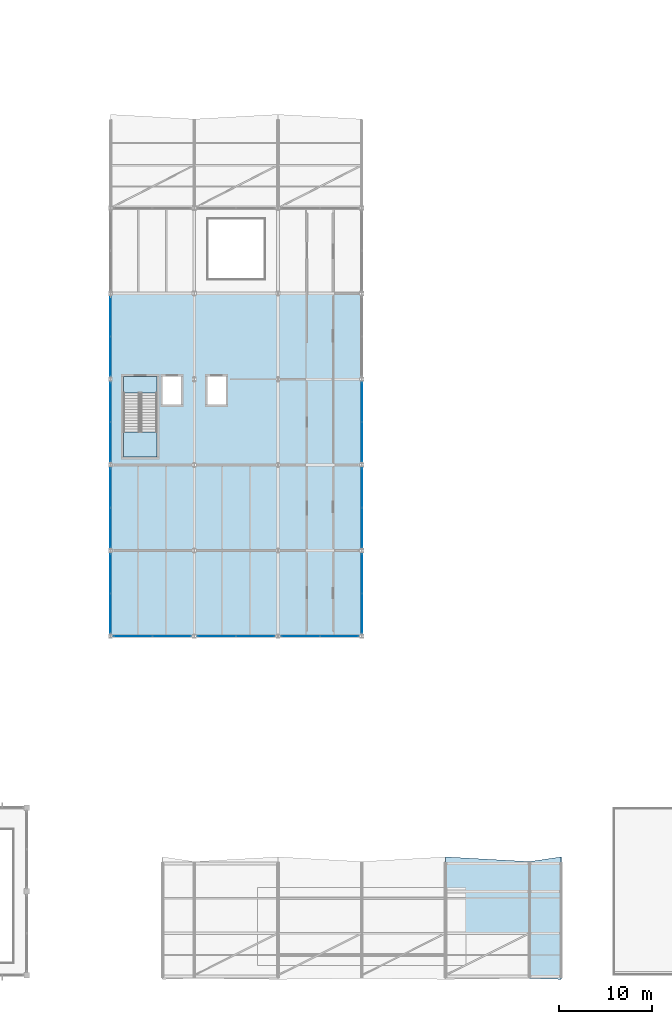
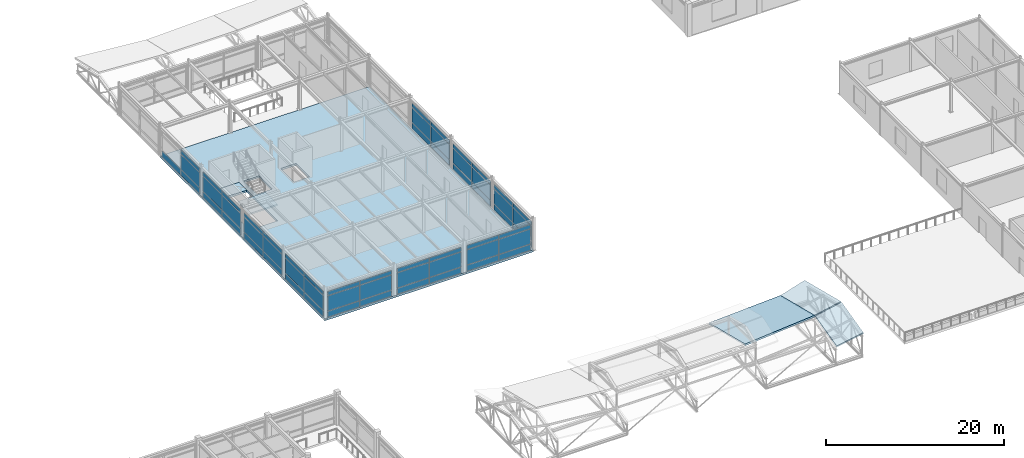
# One storey, part 32 of 55: 58 plates, 6 slabs, 11 elements without a shape of their own.
"""IFC4 building model written with IfcOpenShell, lengths in metres."""

from ifc_helpers import new_model, si_unit, direction, frame, origin, origin_2d, place, context, subcontext, project, spatial, polyline, rectangle, outline, extrude, material, layer, layer_set, type_object, element, aggregate, save


model = new_model("IFC4")

# Units and contexts
model_context = context("Model", 3, precision=1e-05, world=origin(), true_north=direction((0.0, 1.0)))
body_context = subcontext(model_context, "Body", "Model", "MODEL_VIEW")
ifc_project = project(units=[si_unit("LENGTHUNIT", "METRE"), si_unit("AREAUNIT", "SQUARE_METRE"), si_unit("VOLUMEUNIT", "CUBIC_METRE"), si_unit("PLANEANGLEUNIT", "RADIAN"), si_unit("MASSUNIT", "GRAM", prefix="KILO")], contexts=[model_context])

# Site, building, storey
site_placement = place(None, origin())
site = spatial("IfcSite", under=ifc_project, at=site_placement, CompositionType="ELEMENT")
building_placement = place(site_placement, origin())
building = spatial("IfcBuilding", under=site, at=building_placement, Name="Bozkorgan Art Gallery", CompositionType="ELEMENT")
storey_placement = place(building_placement, frame((0.0, 0.0, 15.0)))
storey = spatial("IfcBuildingStorey", under=building, at=storey_placement, Name="L03", CompositionType="ELEMENT", Elevation=15.0)

# Curtain wall, plates
ifc_material_1 = material(Name="Anodised Bronze Aluminium", Category="aluminium")
curtain_wall_type_1 = type_object("IfcCurtainWallType", Name="CW-CW-32", PredefinedType="NOTDEFINED", material=ifc_material_1)
curtain_wall_1_placement = place(storey_placement, origin())
curtain_wall_1 = element("IfcCurtainWall", 1, at=curtain_wall_1_placement, inside=storey, type_object=curtain_wall_type_1, Name="L03 unitised curtain wall CW-V4-L03-1S-01", PredefinedType="NOTDEFINED")
ifc_material_2 = material(Name="Triple Low-E Laminated Glass", Category="glass")
ifc_layer_1 = layer(ifc_material_2, 0.0439453125, Name="Triple Low-E Laminated Glass")
ifc_layer_set_1 = layer_set([ifc_layer_1], Name="Triple Low-E Laminated Glass")
plate_type = type_object("IfcPlateType", Name="CWP-GLZ", PredefinedType="CURTAIN_PANEL", material=ifc_layer_set_1)
plate_1_placement = place(storey_placement, frame((76.423828125, 38.39990234375, 0.10009765625), z_axis=(0.0, 0.0, 1.0), x_axis=(1.0, 0.0, 0.0)))
plate_1 = element("IfcPlate", 2, at=plate_1_placement, type_object=plate_type, Name="CW-32 panel 1.1", PredefinedType="CURTAIN_PANEL", context=body_context, shape_type="SweptSolid", body=[
    extrude(rectangle(XDim=4.08740234375, YDim=0.0439453125, at=origin_2d()), origin(), (0.0, 0.0, 1.0), 0.780029296875),
])
plate_2_placement = place(storey_placement, frame((76.423828125, 38.39990234375, 0.9599609375), z_axis=(0.0, 0.0, 1.0), x_axis=(1.0, 0.0, 0.0)))
plate_2 = element("IfcPlate", 3, at=plate_2_placement, type_object=plate_type, Name="CW-32 panel 1.2", PredefinedType="CURTAIN_PANEL", context=body_context, shape_type="SweptSolid", body=[
    extrude(rectangle(XDim=4.08740234375, YDim=0.0439453125, at=origin_2d()), origin(), (0.0, 0.0, 1.0), 2.02490234375),
])
plate_3_placement = place(storey_placement, frame((76.423828125, 38.39990234375, 3.06494140625), z_axis=(0.0, 0.0, 1.0), x_axis=(1.0, 0.0, 0.0)))
plate_3 = element("IfcPlate", 4, at=plate_3_placement, type_object=plate_type, Name="CW-32 panel 1.3", PredefinedType="CURTAIN_PANEL", context=body_context, shape_type="SweptSolid", body=[
    extrude(rectangle(XDim=4.08740234375, YDim=0.0439453125, at=origin_2d()), origin(), (0.0, 0.0, 1.0), 0.530029296875),
])
plate_4_placement = place(storey_placement, frame((80.576171875, 38.39990234375, 0.10009765625), z_axis=(0.0, 0.0, 1.0), x_axis=(1.0, 0.0, 0.0)))
plate_4 = element("IfcPlate", 5, at=plate_4_placement, type_object=plate_type, Name="CW-32 panel 2.1", PredefinedType="CURTAIN_PANEL", context=body_context, shape_type="SweptSolid", body=[
    extrude(rectangle(XDim=4.08740234375, YDim=0.0439453125, at=origin_2d()), origin(), (0.0, 0.0, 1.0), 0.780029296875),
])
plate_5_placement = place(storey_placement, frame((80.576171875, 38.39990234375, 0.9599609375), z_axis=(0.0, 0.0, 1.0), x_axis=(1.0, 0.0, 0.0)))
plate_5 = element("IfcPlate", 6, at=plate_5_placement, type_object=plate_type, Name="CW-32 panel 2.2", PredefinedType="CURTAIN_PANEL", context=body_context, shape_type="SweptSolid", body=[
    extrude(rectangle(XDim=4.08740234375, YDim=0.0439453125, at=origin_2d()), origin(), (0.0, 0.0, 1.0), 2.02490234375),
])
plate_6_placement = place(storey_placement, frame((80.576171875, 38.39990234375, 3.06494140625), z_axis=(0.0, 0.0, 1.0), x_axis=(1.0, 0.0, 0.0)))
plate_6 = element("IfcPlate", 7, at=plate_6_placement, type_object=plate_type, Name="CW-32 panel 2.3", PredefinedType="CURTAIN_PANEL", context=body_context, shape_type="SweptSolid", body=[
    extrude(rectangle(XDim=4.08740234375, YDim=0.0439453125, at=origin_2d()), origin(), (0.0, 0.0, 1.0), 0.530029296875),
])
aggregate(curtain_wall_1, [plate_1, plate_2, plate_3, plate_4, plate_5, plate_6])

curtain_wall_2_placement = place(storey_placement, origin())
curtain_wall_2 = element("IfcCurtainWall", 8, at=curtain_wall_2_placement, inside=storey, type_object=curtain_wall_type_1, Name="L03 unitised curtain wall CW-V4-L03-1S-03", PredefinedType="NOTDEFINED")
plate_7_placement = place(storey_placement, frame((85.423828125, 38.39990234375, 0.10009765625), z_axis=(0.0, 0.0, 1.0), x_axis=(1.0, 0.0, 0.0)))
plate_7 = element("IfcPlate", 9, at=plate_7_placement, type_object=plate_type, Name="CW-32 panel 1.1", PredefinedType="CURTAIN_PANEL", context=body_context, shape_type="SweptSolid", body=[
    extrude(rectangle(XDim=4.08740234375, YDim=0.0439453125, at=origin_2d()), origin(), (0.0, 0.0, 1.0), 0.780029296875),
])
plate_8_placement = place(storey_placement, frame((85.423828125, 38.39990234375, 0.9599609375), z_axis=(0.0, 0.0, 1.0), x_axis=(1.0, 0.0, 0.0)))
plate_8 = element("IfcPlate", 10, at=plate_8_placement, type_object=plate_type, Name="CW-32 panel 1.2", PredefinedType="CURTAIN_PANEL", context=body_context, shape_type="SweptSolid", body=[
    extrude(rectangle(XDim=4.08740234375, YDim=0.0439453125, at=origin_2d()), origin(), (0.0, 0.0, 1.0), 2.02490234375),
])
plate_9_placement = place(storey_placement, frame((85.423828125, 38.39990234375, 3.06494140625), z_axis=(0.0, 0.0, 1.0), x_axis=(1.0, 0.0, 0.0)))
plate_9 = element("IfcPlate", 11, at=plate_9_placement, type_object=plate_type, Name="CW-32 panel 1.3", PredefinedType="CURTAIN_PANEL", context=body_context, shape_type="SweptSolid", body=[
    extrude(rectangle(XDim=4.08740234375, YDim=0.0439453125, at=origin_2d()), origin(), (0.0, 0.0, 1.0), 0.530029296875),
])
plate_10_placement = place(storey_placement, frame((89.576171875, 38.39990234375, 0.10009765625), z_axis=(0.0, 0.0, 1.0), x_axis=(1.0, 0.0, 0.0)))
plate_10 = element("IfcPlate", 12, at=plate_10_placement, type_object=plate_type, Name="CW-32 panel 2.1", PredefinedType="CURTAIN_PANEL", context=body_context, shape_type="SweptSolid", body=[
    extrude(rectangle(XDim=4.08740234375, YDim=0.0439453125, at=origin_2d()), origin(), (0.0, 0.0, 1.0), 0.780029296875),
])
plate_11_placement = place(storey_placement, frame((89.576171875, 38.39990234375, 0.9599609375), z_axis=(0.0, 0.0, 1.0), x_axis=(1.0, 0.0, 0.0)))
plate_11 = element("IfcPlate", 13, at=plate_11_placement, type_object=plate_type, Name="CW-32 panel 2.2", PredefinedType="CURTAIN_PANEL", context=body_context, shape_type="SweptSolid", body=[
    extrude(rectangle(XDim=4.08740234375, YDim=0.0439453125, at=origin_2d()), origin(), (0.0, 0.0, 1.0), 2.02490234375),
])
plate_12_placement = place(storey_placement, frame((89.576171875, 38.39990234375, 3.06494140625), z_axis=(0.0, 0.0, 1.0), x_axis=(1.0, 0.0, 0.0)))
plate_12 = element("IfcPlate", 14, at=plate_12_placement, type_object=plate_type, Name="CW-32 panel 2.3", PredefinedType="CURTAIN_PANEL", context=body_context, shape_type="SweptSolid", body=[
    extrude(rectangle(XDim=4.08740234375, YDim=0.0439453125, at=origin_2d()), origin(), (0.0, 0.0, 1.0), 0.530029296875),
])
aggregate(curtain_wall_2, [plate_7, plate_8, plate_9, plate_10, plate_11, plate_12])

curtain_wall_3_placement = place(storey_placement, origin())
curtain_wall_3 = element("IfcCurtainWall", 15, at=curtain_wall_3_placement, inside=storey, type_object=curtain_wall_type_1, Name="L03 unitised curtain wall CW-V4-L03-1S-05", PredefinedType="NOTDEFINED")
plate_13_placement = place(storey_placement, frame((94.423828125, 38.39990234375, 0.10009765625), z_axis=(0.0, 0.0, 1.0), x_axis=(1.0, 0.0, 0.0)))
plate_13 = element("IfcPlate", 16, at=plate_13_placement, type_object=plate_type, Name="CW-32 panel 1.1", PredefinedType="CURTAIN_PANEL", context=body_context, shape_type="SweptSolid", body=[
    extrude(rectangle(XDim=4.08740234375, YDim=0.0439453125, at=origin_2d()), origin(), (0.0, 0.0, 1.0), 0.780029296875),
])
plate_14_placement = place(storey_placement, frame((94.423828125, 38.39990234375, 0.9599609375), z_axis=(0.0, 0.0, 1.0), x_axis=(1.0, 0.0, 0.0)))
plate_14 = element("IfcPlate", 17, at=plate_14_placement, type_object=plate_type, Name="CW-32 panel 1.2", PredefinedType="CURTAIN_PANEL", context=body_context, shape_type="SweptSolid", body=[
    extrude(rectangle(XDim=4.08740234375, YDim=0.0439453125, at=origin_2d()), origin(), (0.0, 0.0, 1.0), 2.02490234375),
])
plate_15_placement = place(storey_placement, frame((94.423828125, 38.39990234375, 3.06494140625), z_axis=(0.0, 0.0, 1.0), x_axis=(1.0, 0.0, 0.0)))
plate_15 = element("IfcPlate", 18, at=plate_15_placement, type_object=plate_type, Name="CW-32 panel 1.3", PredefinedType="CURTAIN_PANEL", context=body_context, shape_type="SweptSolid", body=[
    extrude(rectangle(XDim=4.08740234375, YDim=0.0439453125, at=origin_2d()), origin(), (0.0, 0.0, 1.0), 0.530029296875),
])
plate_16_placement = place(storey_placement, frame((98.576171875, 38.39990234375, 0.10009765625), z_axis=(0.0, 0.0, 1.0), x_axis=(1.0, 0.0, 0.0)))
plate_16 = element("IfcPlate", 19, at=plate_16_placement, type_object=plate_type, Name="CW-32 panel 2.1", PredefinedType="CURTAIN_PANEL", context=body_context, shape_type="SweptSolid", body=[
    extrude(rectangle(XDim=4.08740234375, YDim=0.0439453125, at=origin_2d()), origin(), (0.0, 0.0, 1.0), 0.780029296875),
])
plate_17_placement = place(storey_placement, frame((98.576171875, 38.39990234375, 0.9599609375), z_axis=(0.0, 0.0, 1.0), x_axis=(1.0, 0.0, 0.0)))
plate_17 = element("IfcPlate", 20, at=plate_17_placement, type_object=plate_type, Name="CW-32 panel 2.2", PredefinedType="CURTAIN_PANEL", context=body_context, shape_type="SweptSolid", body=[
    extrude(rectangle(XDim=4.08740234375, YDim=0.0439453125, at=origin_2d()), origin(), (0.0, 0.0, 1.0), 2.02490234375),
])
plate_18_placement = place(storey_placement, frame((98.576171875, 38.39990234375, 3.06494140625), z_axis=(0.0, 0.0, 1.0), x_axis=(1.0, 0.0, 0.0)))
plate_18 = element("IfcPlate", 21, at=plate_18_placement, type_object=plate_type, Name="CW-32 panel 2.3", PredefinedType="CURTAIN_PANEL", context=body_context, shape_type="SweptSolid", body=[
    extrude(rectangle(XDim=4.08740234375, YDim=0.0439453125, at=origin_2d()), origin(), (0.0, 0.0, 1.0), 0.530029296875),
])
aggregate(curtain_wall_3, [plate_13, plate_14, plate_15, plate_16, plate_17, plate_18])

curtain_wall_type_2 = type_object("IfcCurtainWallType", Name="CW-CW-59", PredefinedType="NOTDEFINED", material=ifc_material_1)
curtain_wall_4_placement = place(storey_placement, origin())
curtain_wall_4 = element("IfcCurtainWall", 22, at=curtain_wall_4_placement, inside=storey, type_object=curtain_wall_type_2, Name="L03 unitised curtain wall CW-V4-L03-1W-07", PredefinedType="NOTDEFINED")
plate_19_placement = place(storey_placement, frame((74.0, 40.873779296875, 0.10009765625), z_axis=(0.0, 0.0, 1.0), x_axis=(0.0, 1.0, 0.0)))
plate_19 = element("IfcPlate", 23, at=plate_19_placement, type_object=plate_type, Name="CW-59 panel 1.1", PredefinedType="CURTAIN_PANEL", context=body_context, shape_type="SweptSolid", body=[
    extrude(rectangle(XDim=4.1875, YDim=0.0439453125, at=origin_2d()), origin(), (0.0, 0.0, 1.0), 0.780029296875),
])
plate_20_placement = place(storey_placement, frame((74.0, 40.873779296875, 0.9599609375), z_axis=(0.0, 0.0, 1.0), x_axis=(0.0, 1.0, 0.0)))
plate_20 = element("IfcPlate", 24, at=plate_20_placement, type_object=plate_type, Name="CW-59 panel 1.2", PredefinedType="CURTAIN_PANEL", context=body_context, shape_type="SweptSolid", body=[
    extrude(rectangle(XDim=4.1875, YDim=0.0439453125, at=origin_2d()), origin(), (0.0, 0.0, 1.0), 2.02490234375),
])
plate_21_placement = place(storey_placement, frame((74.0, 40.873779296875, 3.06494140625), z_axis=(0.0, 0.0, 1.0), x_axis=(0.0, 1.0, 0.0)))
plate_21 = element("IfcPlate", 25, at=plate_21_placement, type_object=plate_type, Name="CW-59 panel 1.3", PredefinedType="CURTAIN_PANEL", context=body_context, shape_type="SweptSolid", body=[
    extrude(rectangle(XDim=4.1875, YDim=0.0439453125, at=origin_2d()), origin(), (0.0, 0.0, 1.0), 0.530029296875),
])
plate_22_placement = place(storey_placement, frame((74.0, 45.126220703125, 0.10009765625), z_axis=(0.0, 0.0, 1.0), x_axis=(0.0, 1.0, 0.0)))
plate_22 = element("IfcPlate", 26, at=plate_22_placement, type_object=plate_type, Name="CW-59 panel 2.1", PredefinedType="CURTAIN_PANEL", context=body_context, shape_type="SweptSolid", body=[
    extrude(rectangle(XDim=4.1875, YDim=0.0439453125, at=origin_2d()), origin(), (0.0, 0.0, 1.0), 0.780029296875),
])
plate_23_placement = place(storey_placement, frame((74.0, 45.126220703125, 0.9599609375), z_axis=(0.0, 0.0, 1.0), x_axis=(0.0, 1.0, 0.0)))
plate_23 = element("IfcPlate", 27, at=plate_23_placement, type_object=plate_type, Name="CW-59 panel 2.2", PredefinedType="CURTAIN_PANEL", context=body_context, shape_type="SweptSolid", body=[
    extrude(rectangle(XDim=4.1875, YDim=0.0439453125, at=origin_2d()), origin(), (0.0, 0.0, 1.0), 2.02490234375),
])
plate_24_placement = place(storey_placement, frame((74.0, 45.126220703125, 3.06494140625), z_axis=(0.0, 0.0, 1.0), x_axis=(0.0, 1.0, 0.0)))
plate_24 = element("IfcPlate", 28, at=plate_24_placement, type_object=plate_type, Name="CW-59 panel 2.3", PredefinedType="CURTAIN_PANEL", context=body_context, shape_type="SweptSolid", body=[
    extrude(rectangle(XDim=4.1875, YDim=0.0439453125, at=origin_2d()), origin(), (0.0, 0.0, 1.0), 0.530029296875),
])
aggregate(curtain_wall_4, [plate_19, plate_20, plate_21, plate_22, plate_23, plate_24])

curtain_wall_5_placement = place(storey_placement, origin())
curtain_wall_5 = element("IfcCurtainWall", 29, at=curtain_wall_5_placement, inside=storey, type_object=curtain_wall_type_2, Name="L03 unitised curtain wall CW-V4-L03-1E-08", PredefinedType="NOTDEFINED")
plate_25_placement = place(storey_placement, frame((101.0, 40.873779296875, 0.10009765625), z_axis=(0.0, 0.0, 1.0), x_axis=(0.0, 1.0, 0.0)))
plate_25 = element("IfcPlate", 30, at=plate_25_placement, type_object=plate_type, Name="CW-59 panel 1.1", PredefinedType="CURTAIN_PANEL", context=body_context, shape_type="SweptSolid", body=[
    extrude(rectangle(XDim=4.1875, YDim=0.0439453125, at=origin_2d()), origin(), (0.0, 0.0, 1.0), 0.780029296875),
])
plate_26_placement = place(storey_placement, frame((101.0, 40.873779296875, 0.9599609375), z_axis=(0.0, 0.0, 1.0), x_axis=(0.0, 1.0, 0.0)))
plate_26 = element("IfcPlate", 31, at=plate_26_placement, type_object=plate_type, Name="CW-59 panel 1.2", PredefinedType="CURTAIN_PANEL", context=body_context, shape_type="SweptSolid", body=[
    extrude(rectangle(XDim=4.1875, YDim=0.0439453125, at=origin_2d()), origin(), (0.0, 0.0, 1.0), 2.02490234375),
])
plate_27_placement = place(storey_placement, frame((101.0, 40.873779296875, 3.06494140625), z_axis=(0.0, 0.0, 1.0), x_axis=(0.0, 1.0, 0.0)))
plate_27 = element("IfcPlate", 32, at=plate_27_placement, type_object=plate_type, Name="CW-59 panel 1.3", PredefinedType="CURTAIN_PANEL", context=body_context, shape_type="SweptSolid", body=[
    extrude(rectangle(XDim=4.1875, YDim=0.0439453125, at=origin_2d()), origin(), (0.0, 0.0, 1.0), 0.530029296875),
])
plate_28_placement = place(storey_placement, frame((101.0, 45.126220703125, 0.10009765625), z_axis=(0.0, 0.0, 1.0), x_axis=(0.0, 1.0, 0.0)))
plate_28 = element("IfcPlate", 33, at=plate_28_placement, type_object=plate_type, Name="CW-59 panel 2.1", PredefinedType="CURTAIN_PANEL", context=body_context, shape_type="SweptSolid", body=[
    extrude(rectangle(XDim=4.1875, YDim=0.0439453125, at=origin_2d()), origin(), (0.0, 0.0, 1.0), 0.780029296875),
])
plate_29_placement = place(storey_placement, frame((101.0, 45.126220703125, 0.9599609375), z_axis=(0.0, 0.0, 1.0), x_axis=(0.0, 1.0, 0.0)))
plate_29 = element("IfcPlate", 34, at=plate_29_placement, type_object=plate_type, Name="CW-59 panel 2.2", PredefinedType="CURTAIN_PANEL", context=body_context, shape_type="SweptSolid", body=[
    extrude(rectangle(XDim=4.1875, YDim=0.0439453125, at=origin_2d()), origin(), (0.0, 0.0, 1.0), 2.02490234375),
])
plate_30_placement = place(storey_placement, frame((101.0, 45.126220703125, 3.06494140625), z_axis=(0.0, 0.0, 1.0), x_axis=(0.0, 1.0, 0.0)))
plate_30 = element("IfcPlate", 35, at=plate_30_placement, type_object=plate_type, Name="CW-59 panel 2.3", PredefinedType="CURTAIN_PANEL", context=body_context, shape_type="SweptSolid", body=[
    extrude(rectangle(XDim=4.1875, YDim=0.0439453125, at=origin_2d()), origin(), (0.0, 0.0, 1.0), 0.530029296875),
])
aggregate(curtain_wall_5, [plate_25, plate_26, plate_27, plate_28, plate_29, plate_30])

curtain_wall_6_placement = place(storey_placement, origin())
curtain_wall_6 = element("IfcCurtainWall", 36, at=curtain_wall_6_placement, inside=storey, type_object=curtain_wall_type_2, Name="L03 unitised curtain wall CW-V4-L03-1W-09", PredefinedType="NOTDEFINED")
plate_31_placement = place(storey_placement, frame((74.0, 50.07373046875, 0.10009765625), z_axis=(0.0, 0.0, 1.0), x_axis=(0.0, 1.0, 0.0)))
plate_31 = element("IfcPlate", 37, at=plate_31_placement, type_object=plate_type, Name="CW-59 panel 1.1", PredefinedType="CURTAIN_PANEL", context=body_context, shape_type="SweptSolid", body=[
    extrude(rectangle(XDim=4.1875, YDim=0.0439453125, at=origin_2d()), origin(), (0.0, 0.0, 1.0), 0.780029296875),
])
plate_32_placement = place(storey_placement, frame((74.0, 50.07373046875, 0.9599609375), z_axis=(0.0, 0.0, 1.0), x_axis=(0.0, 1.0, 0.0)))
plate_32 = element("IfcPlate", 38, at=plate_32_placement, type_object=plate_type, Name="CW-59 panel 1.2", PredefinedType="CURTAIN_PANEL", context=body_context, shape_type="SweptSolid", body=[
    extrude(rectangle(XDim=4.1875, YDim=0.0439453125, at=origin_2d()), origin(), (0.0, 0.0, 1.0), 2.02490234375),
])
plate_33_placement = place(storey_placement, frame((74.0, 50.07373046875, 3.06494140625), z_axis=(0.0, 0.0, 1.0), x_axis=(0.0, 1.0, 0.0)))
plate_33 = element("IfcPlate", 39, at=plate_33_placement, type_object=plate_type, Name="CW-59 panel 1.3", PredefinedType="CURTAIN_PANEL", context=body_context, shape_type="SweptSolid", body=[
    extrude(rectangle(XDim=4.1875, YDim=0.0439453125, at=origin_2d()), origin(), (0.0, 0.0, 1.0), 0.530029296875),
])
plate_34_placement = place(storey_placement, frame((74.0, 54.326171875, 0.10009765625), z_axis=(0.0, 0.0, 1.0), x_axis=(0.0, 1.0, 0.0)))
plate_34 = element("IfcPlate", 40, at=plate_34_placement, type_object=plate_type, Name="CW-59 panel 2.1", PredefinedType="CURTAIN_PANEL", context=body_context, shape_type="SweptSolid", body=[
    extrude(rectangle(XDim=4.1875, YDim=0.0439453125, at=origin_2d()), origin(), (0.0, 0.0, 1.0), 0.780029296875),
])
plate_35_placement = place(storey_placement, frame((74.0, 54.326171875, 0.9599609375), z_axis=(0.0, 0.0, 1.0), x_axis=(0.0, 1.0, 0.0)))
plate_35 = element("IfcPlate", 41, at=plate_35_placement, type_object=plate_type, Name="CW-59 panel 2.2", PredefinedType="CURTAIN_PANEL", context=body_context, shape_type="SweptSolid", body=[
    extrude(rectangle(XDim=4.1875, YDim=0.0439453125, at=origin_2d()), origin(), (0.0, 0.0, 1.0), 2.02490234375),
])
plate_36_placement = place(storey_placement, frame((74.0, 54.326171875, 3.06494140625), z_axis=(0.0, 0.0, 1.0), x_axis=(0.0, 1.0, 0.0)))
plate_36 = element("IfcPlate", 42, at=plate_36_placement, type_object=plate_type, Name="CW-59 panel 2.3", PredefinedType="CURTAIN_PANEL", context=body_context, shape_type="SweptSolid", body=[
    extrude(rectangle(XDim=4.1875, YDim=0.0439453125, at=origin_2d()), origin(), (0.0, 0.0, 1.0), 0.530029296875),
])
aggregate(curtain_wall_6, [plate_31, plate_32, plate_33, plate_34, plate_35, plate_36])

curtain_wall_7_placement = place(storey_placement, origin())
curtain_wall_7 = element("IfcCurtainWall", 43, at=curtain_wall_7_placement, inside=storey, type_object=curtain_wall_type_2, Name="L03 unitised curtain wall CW-V4-L03-1E-10", PredefinedType="NOTDEFINED")
plate_37_placement = place(storey_placement, frame((101.0, 50.07373046875, 0.10009765625), z_axis=(0.0, 0.0, 1.0), x_axis=(0.0, 1.0, 0.0)))
plate_37 = element("IfcPlate", 44, at=plate_37_placement, type_object=plate_type, Name="CW-59 panel 1.1", PredefinedType="CURTAIN_PANEL", context=body_context, shape_type="SweptSolid", body=[
    extrude(rectangle(XDim=4.1875, YDim=0.0439453125, at=origin_2d()), origin(), (0.0, 0.0, 1.0), 0.780029296875),
])
plate_38_placement = place(storey_placement, frame((101.0, 50.07373046875, 0.9599609375), z_axis=(0.0, 0.0, 1.0), x_axis=(0.0, 1.0, 0.0)))
plate_38 = element("IfcPlate", 45, at=plate_38_placement, type_object=plate_type, Name="CW-59 panel 1.2", PredefinedType="CURTAIN_PANEL", context=body_context, shape_type="SweptSolid", body=[
    extrude(rectangle(XDim=4.1875, YDim=0.0439453125, at=origin_2d()), origin(), (0.0, 0.0, 1.0), 2.02490234375),
])
plate_39_placement = place(storey_placement, frame((101.0, 50.07373046875, 3.06494140625), z_axis=(0.0, 0.0, 1.0), x_axis=(0.0, 1.0, 0.0)))
plate_39 = element("IfcPlate", 46, at=plate_39_placement, type_object=plate_type, Name="CW-59 panel 1.3", PredefinedType="CURTAIN_PANEL", context=body_context, shape_type="SweptSolid", body=[
    extrude(rectangle(XDim=4.1875, YDim=0.0439453125, at=origin_2d()), origin(), (0.0, 0.0, 1.0), 0.530029296875),
])
plate_40_placement = place(storey_placement, frame((101.0, 54.326171875, 0.10009765625), z_axis=(0.0, 0.0, 1.0), x_axis=(0.0, 1.0, 0.0)))
plate_40 = element("IfcPlate", 47, at=plate_40_placement, type_object=plate_type, Name="CW-59 panel 2.1", PredefinedType="CURTAIN_PANEL", context=body_context, shape_type="SweptSolid", body=[
    extrude(rectangle(XDim=4.1875, YDim=0.0439453125, at=origin_2d()), origin(), (0.0, 0.0, 1.0), 0.780029296875),
])
plate_41_placement = place(storey_placement, frame((101.0, 54.326171875, 0.9599609375), z_axis=(0.0, 0.0, 1.0), x_axis=(0.0, 1.0, 0.0)))
plate_41 = element("IfcPlate", 48, at=plate_41_placement, type_object=plate_type, Name="CW-59 panel 2.2", PredefinedType="CURTAIN_PANEL", context=body_context, shape_type="SweptSolid", body=[
    extrude(rectangle(XDim=4.1875, YDim=0.0439453125, at=origin_2d()), origin(), (0.0, 0.0, 1.0), 2.02490234375),
])
plate_42_placement = place(storey_placement, frame((101.0, 54.326171875, 3.06494140625), z_axis=(0.0, 0.0, 1.0), x_axis=(0.0, 1.0, 0.0)))
plate_42 = element("IfcPlate", 49, at=plate_42_placement, type_object=plate_type, Name="CW-59 panel 2.3", PredefinedType="CURTAIN_PANEL", context=body_context, shape_type="SweptSolid", body=[
    extrude(rectangle(XDim=4.1875, YDim=0.0439453125, at=origin_2d()), origin(), (0.0, 0.0, 1.0), 0.530029296875),
])
aggregate(curtain_wall_7, [plate_37, plate_38, plate_39, plate_40, plate_41, plate_42])

curtain_wall_8_placement = place(storey_placement, origin())
curtain_wall_8 = element("IfcCurtainWall", 50, at=curtain_wall_8_placement, inside=storey, type_object=curtain_wall_type_2, Name="L03 unitised curtain wall CW-V4-L03-1W-11", PredefinedType="NOTDEFINED")
plate_43_placement = place(storey_placement, frame((74.0, 59.273681640625, 0.10009765625), z_axis=(0.0, 0.0, 1.0), x_axis=(0.0, 1.0, 0.0)))
plate_43 = element("IfcPlate", 51, at=plate_43_placement, type_object=plate_type, Name="CW-59 panel 1.1", PredefinedType="CURTAIN_PANEL", context=body_context, shape_type="SweptSolid", body=[
    extrude(rectangle(XDim=4.1875, YDim=0.0439453125, at=origin_2d()), origin(), (0.0, 0.0, 1.0), 0.780029296875),
])
plate_44_placement = place(storey_placement, frame((74.0, 59.273681640625, 0.9599609375), z_axis=(0.0, 0.0, 1.0), x_axis=(0.0, 1.0, 0.0)))
plate_44 = element("IfcPlate", 52, at=plate_44_placement, type_object=plate_type, Name="CW-59 panel 1.2", PredefinedType="CURTAIN_PANEL", context=body_context, shape_type="SweptSolid", body=[
    extrude(rectangle(XDim=4.1875, YDim=0.0439453125, at=origin_2d()), origin(), (0.0, 0.0, 1.0), 2.02490234375),
])
plate_45_placement = place(storey_placement, frame((74.0, 59.273681640625, 3.06494140625), z_axis=(0.0, 0.0, 1.0), x_axis=(0.0, 1.0, 0.0)))
plate_45 = element("IfcPlate", 53, at=plate_45_placement, type_object=plate_type, Name="CW-59 panel 1.3", PredefinedType="CURTAIN_PANEL", context=body_context, shape_type="SweptSolid", body=[
    extrude(rectangle(XDim=4.1875, YDim=0.0439453125, at=origin_2d()), origin(), (0.0, 0.0, 1.0), 0.530029296875),
])
plate_46_placement = place(storey_placement, frame((74.0, 63.5263671875, 0.10009765625), z_axis=(0.0, 0.0, 1.0), x_axis=(0.0, 1.0, 0.0)))
plate_46 = element("IfcPlate", 54, at=plate_46_placement, type_object=plate_type, Name="CW-59 panel 2.1", PredefinedType="CURTAIN_PANEL", context=body_context, shape_type="SweptSolid", body=[
    extrude(rectangle(XDim=4.1875, YDim=0.0439453125, at=origin_2d()), origin(), (0.0, 0.0, 1.0), 0.780029296875),
])
plate_47_placement = place(storey_placement, frame((74.0, 63.5263671875, 0.9599609375), z_axis=(0.0, 0.0, 1.0), x_axis=(0.0, 1.0, 0.0)))
plate_47 = element("IfcPlate", 55, at=plate_47_placement, type_object=plate_type, Name="CW-59 panel 2.2", PredefinedType="CURTAIN_PANEL", context=body_context, shape_type="SweptSolid", body=[
    extrude(rectangle(XDim=4.1875, YDim=0.0439453125, at=origin_2d()), origin(), (0.0, 0.0, 1.0), 2.02490234375),
])
plate_48_placement = place(storey_placement, frame((74.0, 63.5263671875, 3.06494140625), z_axis=(0.0, 0.0, 1.0), x_axis=(0.0, 1.0, 0.0)))
plate_48 = element("IfcPlate", 56, at=plate_48_placement, type_object=plate_type, Name="CW-59 panel 2.3", PredefinedType="CURTAIN_PANEL", context=body_context, shape_type="SweptSolid", body=[
    extrude(rectangle(XDim=4.1875, YDim=0.0439453125, at=origin_2d()), origin(), (0.0, 0.0, 1.0), 0.530029296875),
])
aggregate(curtain_wall_8, [plate_43, plate_44, plate_45, plate_46, plate_47, plate_48])

curtain_wall_9_placement = place(storey_placement, origin())
curtain_wall_9 = element("IfcCurtainWall", 57, at=curtain_wall_9_placement, inside=storey, type_object=curtain_wall_type_2, Name="L03 unitised curtain wall CW-V4-L03-1E-12", PredefinedType="NOTDEFINED")
plate_49_placement = place(storey_placement, frame((101.0, 59.273681640625, 0.10009765625), z_axis=(0.0, 0.0, 1.0), x_axis=(0.0, 1.0, 0.0)))
plate_49 = element("IfcPlate", 58, at=plate_49_placement, type_object=plate_type, Name="CW-59 panel 1.1", PredefinedType="CURTAIN_PANEL", context=body_context, shape_type="SweptSolid", body=[
    extrude(rectangle(XDim=4.1875, YDim=0.0439453125, at=origin_2d()), origin(), (0.0, 0.0, 1.0), 0.780029296875),
])
plate_50_placement = place(storey_placement, frame((101.0, 59.273681640625, 0.9599609375), z_axis=(0.0, 0.0, 1.0), x_axis=(0.0, 1.0, 0.0)))
plate_50 = element("IfcPlate", 59, at=plate_50_placement, type_object=plate_type, Name="CW-59 panel 1.2", PredefinedType="CURTAIN_PANEL", context=body_context, shape_type="SweptSolid", body=[
    extrude(rectangle(XDim=4.1875, YDim=0.0439453125, at=origin_2d()), origin(), (0.0, 0.0, 1.0), 2.02490234375),
])
plate_51_placement = place(storey_placement, frame((101.0, 59.273681640625, 3.06494140625), z_axis=(0.0, 0.0, 1.0), x_axis=(0.0, 1.0, 0.0)))
plate_51 = element("IfcPlate", 60, at=plate_51_placement, type_object=plate_type, Name="CW-59 panel 1.3", PredefinedType="CURTAIN_PANEL", context=body_context, shape_type="SweptSolid", body=[
    extrude(rectangle(XDim=4.1875, YDim=0.0439453125, at=origin_2d()), origin(), (0.0, 0.0, 1.0), 0.530029296875),
])
plate_52_placement = place(storey_placement, frame((101.0, 63.5263671875, 0.10009765625), z_axis=(0.0, 0.0, 1.0), x_axis=(0.0, 1.0, 0.0)))
plate_52 = element("IfcPlate", 61, at=plate_52_placement, type_object=plate_type, Name="CW-59 panel 2.1", PredefinedType="CURTAIN_PANEL", context=body_context, shape_type="SweptSolid", body=[
    extrude(rectangle(XDim=4.1875, YDim=0.0439453125, at=origin_2d()), origin(), (0.0, 0.0, 1.0), 0.780029296875),
])
plate_53_placement = place(storey_placement, frame((101.0, 63.5263671875, 0.9599609375), z_axis=(0.0, 0.0, 1.0), x_axis=(0.0, 1.0, 0.0)))
plate_53 = element("IfcPlate", 62, at=plate_53_placement, type_object=plate_type, Name="CW-59 panel 2.2", PredefinedType="CURTAIN_PANEL", context=body_context, shape_type="SweptSolid", body=[
    extrude(rectangle(XDim=4.1875, YDim=0.0439453125, at=origin_2d()), origin(), (0.0, 0.0, 1.0), 2.02490234375),
])
plate_54_placement = place(storey_placement, frame((101.0, 63.5263671875, 3.06494140625), z_axis=(0.0, 0.0, 1.0), x_axis=(0.0, 1.0, 0.0)))
plate_54 = element("IfcPlate", 63, at=plate_54_placement, type_object=plate_type, Name="CW-59 panel 2.3", PredefinedType="CURTAIN_PANEL", context=body_context, shape_type="SweptSolid", body=[
    extrude(rectangle(XDim=4.1875, YDim=0.0439453125, at=origin_2d()), origin(), (0.0, 0.0, 1.0), 0.530029296875),
])
aggregate(curtain_wall_9, [plate_49, plate_50, plate_51, plate_52, plate_53, plate_54])

curtain_wall_10_placement = place(storey_placement, origin())
curtain_wall_10 = element("IfcCurtainWall", 64, at=curtain_wall_10_placement, inside=storey, type_object=curtain_wall_type_2, Name="L03 unitised curtain wall CW-V4-L03-1W-13", PredefinedType="NOTDEFINED")
plate_55_placement = place(storey_placement, frame((74.0, 68.4736328125, 0.10009765625), z_axis=(0.0, 0.0, 1.0), x_axis=(0.0, 1.0, 0.0)))
plate_55 = element("IfcPlate", 65, at=plate_55_placement, type_object=plate_type, Name="CW-59 panel 1.1", PredefinedType="CURTAIN_PANEL", context=body_context, shape_type="SweptSolid", body=[
    extrude(rectangle(XDim=4.1875, YDim=0.0439453125, at=origin_2d()), origin(), (0.0, 0.0, 1.0), 0.780029296875),
])
plate_56_placement = place(storey_placement, frame((74.0, 68.4736328125, 0.9599609375), z_axis=(0.0, 0.0, 1.0), x_axis=(0.0, 1.0, 0.0)))
plate_56 = element("IfcPlate", 66, at=plate_56_placement, type_object=plate_type, Name="CW-59 panel 1.2", PredefinedType="CURTAIN_PANEL", context=body_context, shape_type="SweptSolid", body=[
    extrude(rectangle(XDim=4.1875, YDim=0.0439453125, at=origin_2d()), origin(), (0.0, 0.0, 1.0), 2.02490234375),
])
plate_57_placement = place(storey_placement, frame((74.0, 68.4736328125, 3.06494140625), z_axis=(0.0, 0.0, 1.0), x_axis=(0.0, 1.0, 0.0)))
plate_57 = element("IfcPlate", 67, at=plate_57_placement, type_object=plate_type, Name="CW-59 panel 1.3", PredefinedType="CURTAIN_PANEL", context=body_context, shape_type="SweptSolid", body=[
    extrude(rectangle(XDim=4.1875, YDim=0.0439453125, at=origin_2d()), origin(), (0.0, 0.0, 1.0), 0.530029296875),
])
plate_58_placement = place(storey_placement, frame((74.0, 72.726318359375, 0.10009765625), z_axis=(0.0, 0.0, 1.0), x_axis=(0.0, 1.0, 0.0)))
plate_58 = element("IfcPlate", 68, at=plate_58_placement, type_object=plate_type, Name="CW-59 panel 2.1", PredefinedType="CURTAIN_PANEL", context=body_context, shape_type="SweptSolid", body=[
    extrude(rectangle(XDim=4.1875, YDim=0.0439453125, at=origin_2d()), origin(), (0.0, 0.0, 1.0), 0.780029296875),
])
aggregate(curtain_wall_10, [plate_55, plate_56, plate_57, plate_58])

# Stair, slab
ifc_material_3 = material(Name="Concrete C35/45", Category="concrete")
stair_type = type_object("IfcStairType", Name="STAIR-CORE2", PredefinedType="HALF_TURN_STAIR", material=ifc_material_3)
stair_placement = place(storey_placement, origin())
stair = element("IfcStair", 69, at=stair_placement, inside=storey, type_object=stair_type, Name="L03 ST2 Core Stair", PredefinedType="HALF_TURN_STAIR")
ifc_layer_2 = layer(ifc_material_3, 0.25, Name="Concrete C35/45")
ifc_layer_set_2 = layer_set([ifc_layer_2], Name="Concrete C35/45")
slab_type_1 = type_object("IfcSlabType", Name="LAND-CORE2", PredefinedType="LANDING", material=ifc_layer_set_2)
slab_1_placement = place(storey_placement, frame((0.0, 0.0, 2.050048828125)))
slab_1 = element("IfcSlab", 70, at=slab_1_placement, type_object=slab_type_1, Name="ST2 landing 1", PredefinedType="LANDING", context=body_context, shape_type="SweptSolid", body=[
    extrude(outline(polyline([(75.39990234375, 60.35009765625), (75.39990234375, 57.64990234375), (79.0, 57.64990234375), (79.0, 60.35009765625), (75.39990234375, 60.35009765625)])), origin(), (0.0, 0.0, 1.0), 0.199951171875),
])
aggregate(stair, [slab_1])

# Slabs
slab_2_placement = place(storey_placement, frame((0.0, 0.0, -0.280029296875)))
element("IfcSlab", 71, at=slab_2_placement, inside=storey, type_object=slab_type_1, Name="ST2 L03 floor landing", PredefinedType="LANDING", context=body_context, shape_type="SweptSolid", body=[
    extrude(outline(polyline([(75.39990234375, 64.550048828125), (79.0, 64.550048828125), (79.0, 66.300048828125), (75.39990234375, 66.300048828125), (75.39990234375, 64.550048828125)])), origin(), (0.0, 0.0, 1.0), 0.280029296875),
])
ifc_layer_3 = layer(ifc_material_3, 0.219970703125, Name="Concrete C35/45")
ifc_layer_set_3 = layer_set([ifc_layer_3], Name="Concrete C35/45")
slab_type_2 = type_object("IfcSlabType", Name="SLAB-RF-44", PredefinedType="ROOF", material=ifc_layer_set_3)
slab_3_placement = place(storey_placement, frame((110.0, 6.580078125, 3.249755859375), z_axis=(-0.083661439729, 0.241071284724, 0.966894719804), x_axis=(0.996277481173, -1.946994e-06, 0.086204295154)))
element("IfcSlab", 72, at=slab_3_placement, inside=storey, type_object=slab_type_2, Name="ROOF-V3-MAIN swept-eave pitched roof slab 5N", PredefinedType="ROOF", context=body_context, shape_type="SweptSolid", body=[
    extrude(outline(polyline([(0.0, 0.0), (9.033633976444683, 0.0), (8.869839398190416, 7.8514498977634855), (-0.17452899670470604, 8.366608047339197), (0.0, 0.0)])), origin(), (0.0, 0.0, -1.0), 0.219970703125),
])
slab_4_placement = place(storey_placement, frame((119.0, 1.64990234375, 2.83935546875), z_axis=(-0.19582252021, -0.237221882344, 0.951514224337), x_axis=(0.980459821374, -0.028795901466, 0.194600448948)))
element("IfcSlab", 73, at=slab_4_placement, inside=storey, type_object=slab_type_2, Name="ROOF-V3-MAIN swept-eave pitched roof slab 6S", PredefinedType="ROOF", context=body_context, shape_type="SweptSolid", body=[
    extrude(outline(polyline([(0.0, 0.0), (3.4676603117775744, 0.0), (3.56369453689204, 5.018018257973327), (0.09406358983786597, 4.915125265756454), (0.0, 0.0)])), origin(), (0.0, 0.0, -1.0), 0.219970703125),
])
slab_5_placement = place(storey_placement, frame((119.0, 6.580078125, 4.028564453125), z_axis=(-0.195843207308, 0.237234681426, 0.951506775635), x_axis=(0.979468515721, 4.907027e-06, 0.201597189185)))
element("IfcSlab", 74, at=slab_5_placement, inside=storey, type_object=slab_type_2, Name="ROOF-V3-MAIN swept-eave pitched roof slab 6N", PredefinedType="ROOF", context=body_context, shape_type="SweptSolid", body=[
    extrude(outline(polyline([(0.0, 0.0), (3.4711562729820207, 5.551115123125783e-17), (3.0630799326676925, 8.358472605035892), (-0.38297758130698745, 7.843814271981463), (0.0, 0.0)])), origin(), (0.0, 0.0, -1.0), 0.219970703125),
])
ifc_layer_4 = layer(ifc_material_3, 0.280029296875, Name="Concrete C35/45")
ifc_layer_set_4 = layer_set([ifc_layer_4], Name="Concrete C35/45")
slab_type_3 = type_object("IfcSlabType", Name="SLAB-SL-86", PredefinedType="FLOOR", material=ifc_layer_set_4)
slab_6_placement = place(storey_placement, frame((0.0, 0.0, -0.280029296875)))
element("IfcSlab", 75, at=slab_6_placement, inside=storey, type_object=slab_type_3, Name="V4 L03 floor slab 1.1", PredefinedType="FLOOR", context=body_context, shape_type="SweptSolid", body=[
    extrude(outline(polyline([(74.0, 38.39990234375), (101.0, 38.39990234375), (101.0, 75.199951171875), (74.0, 75.199951171875), (74.0, 38.39990234375)]), holes=[polyline([(75.39990234375, 57.64990234375), (79.0, 57.64990234375), (79.0, 66.300048828125), (75.39990234375, 66.300048828125), (75.39990234375, 57.64990234375)]), polyline([(79.60009765625, 63.300048828125), (81.60009765625, 63.300048828125), (81.60009765625, 66.300048828125), (79.60009765625, 66.300048828125), (79.60009765625, 63.300048828125)]), polyline([(84.39990234375, 63.300048828125), (86.39990234375, 63.300048828125), (86.39990234375, 66.300048828125), (84.39990234375, 66.300048828125), (84.39990234375, 63.300048828125)])]), origin(), (0.0, 0.0, 1.0), 0.280029296875),
])

save(model, "model.ifc")
